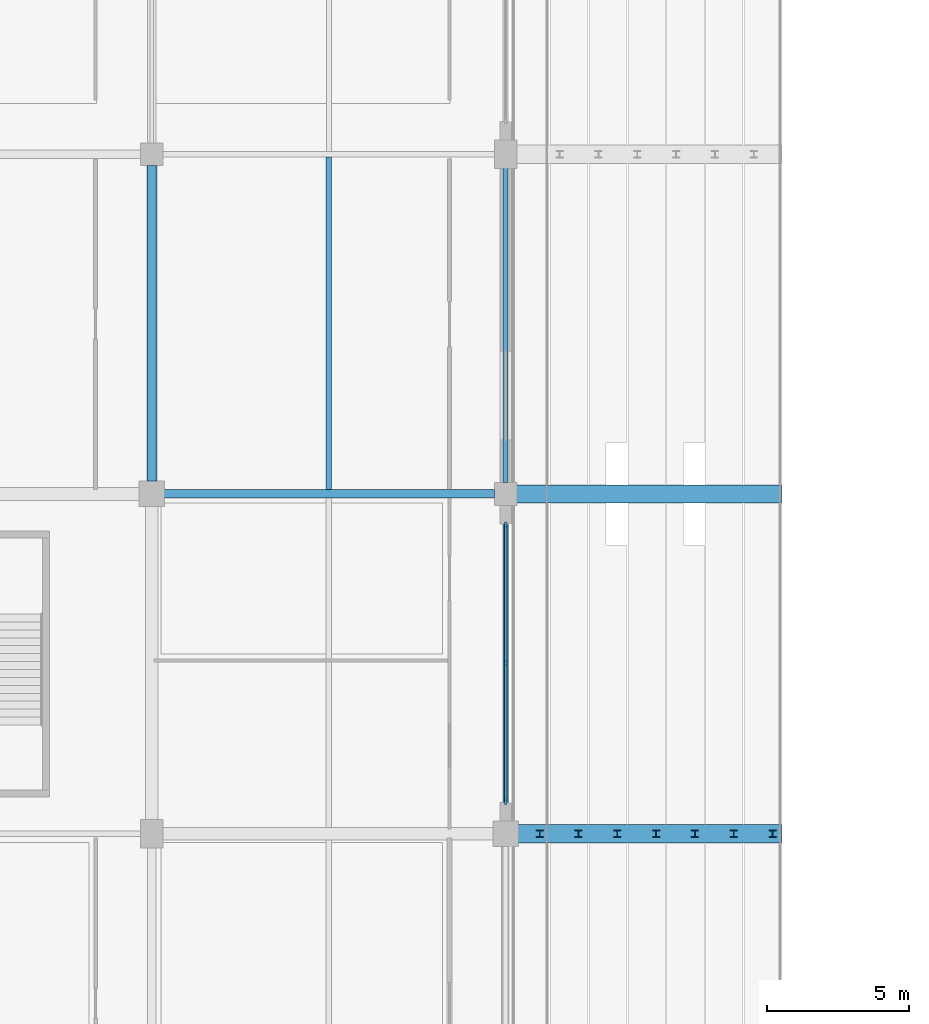
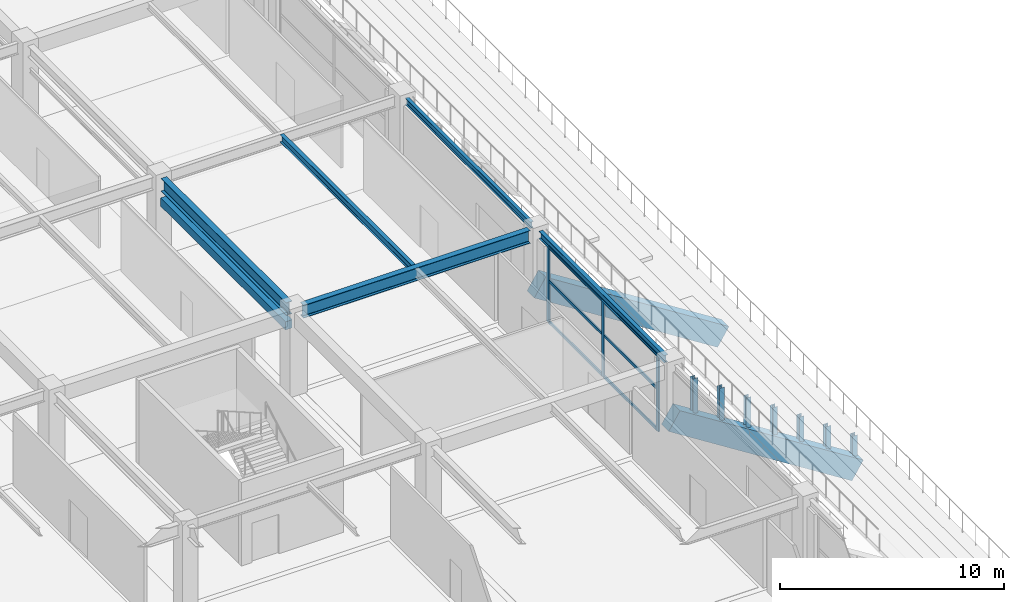
# One storey, part 20 of 134: 16 members, 8 beams, 1 element without a shape of its own.
"""IFC4 building model written with IfcOpenShell, lengths in metres."""

from ifc_helpers import new_model, si_unit, direction, frame, origin, origin_2d, place, context, subcontext, project, spatial, rectangle, i_section, extrude, material, layer, layer_set, material_profile, profile_set, type_object, element, aggregate, save


model = new_model("IFC4")

# Units and contexts
model_context = context("Model", 3, precision=1e-05, world=origin(), true_north=direction((0.0, 1.0)))
body_context = subcontext(model_context, "Body", "Model", "MODEL_VIEW")
ifc_project = project(units=[si_unit("LENGTHUNIT", "METRE"), si_unit("AREAUNIT", "SQUARE_METRE"), si_unit("VOLUMEUNIT", "CUBIC_METRE"), si_unit("PLANEANGLEUNIT", "RADIAN"), si_unit("MASSUNIT", "GRAM", prefix="KILO")], contexts=[model_context])

# Site, building, storey
site_placement = place(None, origin())
site = spatial("IfcSite", under=ifc_project, at=site_placement, CompositionType="ELEMENT")
building_placement = place(site_placement, origin())
building = spatial("IfcBuilding", under=site, at=building_placement, Name="Kazenohara Klinker Stadium", CompositionType="ELEMENT")
storey_placement = place(building_placement, frame((0.0, 0.0, 5.39990234375)))
storey = spatial("IfcBuildingStorey", under=building, at=storey_placement, Name="L01", CompositionType="ELEMENT", Elevation=5.39990234375)

# Beams
ifc_material_1 = material(Name="Steel S355", Category="steel")
ifc_material_profile_1 = material_profile(ifc_material_1, i_section(OverallWidth=0.199951171875, OverallDepth=0.39990234375, WebThickness=0.008056640625, FlangeThickness=0.012939453125, FilletRadius=0.012939453125, at=origin_2d()), Name="H-400x200x8x13")
ifc_profile_set_1 = profile_set([ifc_material_profile_1], Name="Steel S355")
beam_type_1 = type_object("IfcBeamType", Name="BM-JST03", PredefinedType="JOIST", material=ifc_profile_set_1)
beam_1_placement = place(storey_placement, frame((42.75, 84.14990234375, 4.35009765625), z_axis=(0.0, 1.0, 0.0), x_axis=(-1.0, 0.0, 0.0)))
element("IfcBeam", 1, at=beam_1_placement, inside=storey, type_object=beam_type_1, Name="Secondary floor joist SJ03 L01 4/H", PredefinedType="JOIST", context=body_context, shape_type="SweptSolid", body=[
    extrude(i_section(OverallWidth=0.199951171875, OverallDepth=0.39990234375, WebThickness=0.008056640625, FlangeThickness=0.012939453125, FilletRadius=0.012939453125, at=origin_2d()), origin(), (0.0, 0.0, 1.0), 11.75),
])
ifc_material_2 = material(Name="Concrete C40/50", Category="concrete")
ifc_material_profile_2 = material_profile(ifc_material_2, rectangle(XDim=0.35009765625, YDim=0.449951171875, at=origin_2d()), Name="RC-LINTEL-350x450")
ifc_profile_set_2 = profile_set([ifc_material_profile_2], Name="Concrete C40/50")
beam_type_2 = type_object("IfcBeamType", Name="BM-LIN01", PredefinedType="LINTEL", material=ifc_profile_set_2)
beam_2_placement = place(storey_placement, frame((36.5, 84.449951171875, 3.275146484375), z_axis=(0.0, 1.0, 0.0), x_axis=(-1.0, 0.0, 0.0)))
element("IfcBeam", 2, at=beam_2_placement, inside=storey, type_object=beam_type_2, Name="Concourse portal lintel LN01 L01-04", PredefinedType="LINTEL", context=body_context, shape_type="SweptSolid", body=[
    extrude(rectangle(XDim=0.35009765625, YDim=0.449951171875, at=origin_2d()), origin(), (0.0, 0.0, 1.0), 11.150146484375),
])
ifc_material_profile_3 = material_profile(ifc_material_1, i_section(OverallWidth=0.199951171875, OverallDepth=0.39990234375, WebThickness=0.008056640625, FlangeThickness=0.012939453125, FilletRadius=0.012939453125, at=origin_2d()), Name="H-400x200x8x13")
ifc_profile_set_3 = profile_set([ifc_material_profile_3], Name="Steel S355")
beam_type_3 = type_object("IfcBeamType", Name="BM-SPD01", PredefinedType="SPANDREL", material=ifc_profile_set_3)
beam_3_placement = place(storey_placement, frame((49.0, 72.419921875, 4.35009765625), z_axis=(0.0, 1.0, 0.0), x_axis=(-1.0, 0.0, 0.0)))
element("IfcBeam", 3, at=beam_3_placement, inside=storey, type_object=beam_type_3, Name="Primary girder SP01 L01 5/G-H", PredefinedType="SPANDREL", context=body_context, shape_type="SweptSolid", body=[
    extrude(i_section(OverallWidth=0.199951171875, OverallDepth=0.39990234375, WebThickness=0.008056640625, FlangeThickness=0.012939453125, FilletRadius=0.012939453125, at=origin_2d()), origin(), (0.0, 0.0, 1.0), 11.18017578125),
])
ifc_material_profile_4 = material_profile(ifc_material_1, i_section(OverallWidth=0.175048828125, OverallDepth=0.35009765625, WebThickness=0.007080078125, FlangeThickness=0.010986328125, FilletRadius=0.012939453125, at=origin_2d()), Name="H-350x175x7x11")
ifc_profile_set_4 = profile_set([ifc_material_profile_4], Name="Steel S355")
beam_type_4 = type_object("IfcBeamType", Name="BM-SPD02", PredefinedType="SPANDREL", material=ifc_profile_set_4)
beam_4_placement = place(storey_placement, frame((49.0, 84.39990234375, 4.375), z_axis=(0.0, 1.0, 0.0), x_axis=(-1.0, 0.0, 0.0)))
element("IfcBeam", 4, at=beam_4_placement, inside=storey, type_object=beam_type_4, Name="Primary girder SP02 L01 5/H-J", PredefinedType="SPANDREL", context=body_context, shape_type="SweptSolid", body=[
    extrude(i_section(OverallWidth=0.175048828125, OverallDepth=0.35009765625, WebThickness=0.007080078125, FlangeThickness=0.010986328125, FilletRadius=0.012939453125, at=origin_2d()), origin(), (0.0, 0.0, 1.0), 11.18017578125),
])
ifc_material_profile_5 = material_profile(ifc_material_1, i_section(OverallWidth=0.300048828125, OverallDepth=0.699951171875, WebThickness=0.012939453125, FlangeThickness=0.02392578125, FilletRadius=0.02197265625, at=origin_2d()), Name="H-700x300x13x24")
ifc_profile_set_5 = profile_set([ifc_material_profile_5], Name="Steel S355")
beam_type_5 = type_object("IfcBeamType", Name="BM-ST03", PredefinedType="BEAM", material=ifc_profile_set_5)
beam_5_placement = place(storey_placement, frame((36.919921875, 84.0, 4.2001953125), z_axis=(1.0, 0.0, 0.0), x_axis=(0.0, 1.0, 0.0)))
element("IfcBeam", 5, at=beam_5_placement, inside=storey, type_object=beam_type_5, Name="Primary girder SB03 L01 4-5/H", PredefinedType="BEAM", context=body_context, shape_type="SweptSolid", body=[
    extrude(i_section(OverallWidth=0.300048828125, OverallDepth=0.699951171875, WebThickness=0.012939453125, FlangeThickness=0.02392578125, FilletRadius=0.02197265625, at=origin_2d()), origin(), (0.0, 0.0, 1.0), 11.68017578125),
])
beam_6_placement = place(storey_placement, frame((36.5, 84.419921875, 4.2001953125), z_axis=(0.0, 1.0, 0.0), x_axis=(-1.0, 0.0, 0.0)))
element("IfcBeam", 6, at=beam_6_placement, inside=storey, type_object=beam_type_5, Name="Primary girder SB03 L01 4/H-J", PredefinedType="BEAM", context=body_context, shape_type="SweptSolid", body=[
    extrude(i_section(OverallWidth=0.300048828125, OverallDepth=0.699951171875, WebThickness=0.012939453125, FlangeThickness=0.02392578125, FilletRadius=0.02197265625, at=origin_2d()), origin(), (0.0, 0.0, 1.0), 11.18017578125),
])

# Curtain wall, members
ifc_material_3 = material(Name="Anodised aluminium and triple glazing", Category="aluminium")
ifc_layer = layer(ifc_material_3, 0.18994140625)
ifc_layer_set = layer_set([ifc_layer], Name="Anodised aluminium and triple glazing")
curtain_wall_type = type_object("IfcCurtainWallType", Name="CW-SYS-05", PredefinedType="USERDEFINED", material=ifc_layer_set)
curtain_wall_placement = place(storey_placement, origin())
curtain_wall = element("IfcCurtainWall", 7, at=curtain_wall_placement, inside=storey, type_object=curtain_wall_type, Name="Unitised facade curtain wall CW05 L01 Y4-6", ObjectType="UNITISED CURTAIN WALL", PredefinedType="USERDEFINED")
ifc_material_4 = material(Name="Anodised aluminium 6063-T6", Category="aluminium")
ifc_material_profile_6 = material_profile(ifc_material_4, rectangle(XDim=0.074951171875, YDim=0.219970703125, at=origin_2d()), Name="ALU-MUL-75x220")
ifc_profile_set_6 = profile_set([ifc_material_profile_6], Name="Anodised aluminium 6063-T6")
member_type_1 = type_object("IfcMemberType", Name="CW-MUL-220", PredefinedType="MULLION", material=ifc_profile_set_6)
member_1_placement = place(storey_placement, frame((49.0, 73.1416015625, 0.0), z_axis=(0.0, 0.0, 1.0), x_axis=(-1.0, 0.0, 0.0)))
member_1 = element("IfcMember", 8, at=member_1_placement, type_object=member_type_1, Name="CW05 mullion 1", PredefinedType="MULLION", context=body_context, shape_type="SweptSolid", body=[
    extrude(rectangle(XDim=0.074951171875, YDim=0.219970703125, at=origin_2d()), origin(), (0.0, 0.0, 1.0), 4.150146484375),
])
member_2_placement = place(storey_placement, frame((49.0, 78.02490234375, 0.0), z_axis=(0.0, 0.0, 1.0), x_axis=(-1.0, 0.0, 0.0)))
member_2 = element("IfcMember", 9, at=member_2_placement, type_object=member_type_1, Name="CW05 mullion 2", PredefinedType="MULLION", context=body_context, shape_type="SweptSolid", body=[
    extrude(rectangle(XDim=0.074951171875, YDim=0.219970703125, at=origin_2d()), origin(), (0.0, 0.0, 1.0), 4.150146484375),
])
member_3_placement = place(storey_placement, frame((49.0, 82.908447265625, 0.0), z_axis=(0.0, 0.0, 1.0), x_axis=(-1.0, 0.0, 0.0)))
member_3 = element("IfcMember", 10, at=member_3_placement, type_object=member_type_1, Name="CW05 mullion 3", PredefinedType="MULLION", context=body_context, shape_type="SweptSolid", body=[
    extrude(rectangle(XDim=0.074951171875, YDim=0.219970703125, at=origin_2d()), origin(), (0.0, 0.0, 1.0), 4.150146484375),
])
ifc_material_profile_7 = material_profile(ifc_material_4, rectangle(XDim=0.074951171875, YDim=0.159912109375, at=origin_2d()), Name="ALU-TRN-75x160")
ifc_profile_set_7 = profile_set([ifc_material_profile_7], Name="Anodised aluminium 6063-T6")
member_type_2 = type_object("IfcMemberType", Name="CW-TRN-160", PredefinedType="USERDEFINED", material=ifc_profile_set_7)
member_4_placement = place(storey_placement, frame((49.0, 73.178955078125, 0.03759765625), z_axis=(0.0, 1.0, 0.0), x_axis=(-1.0, 0.0, 0.0)))
member_4 = element("IfcMember", 11, at=member_4_placement, type_object=member_type_2, Name="CW05 transom 1.1", ObjectType="TRANSOM", PredefinedType="USERDEFINED", context=body_context, shape_type="SweptSolid", body=[
    extrude(rectangle(XDim=0.074951171875, YDim=0.159912109375, at=origin_2d()), origin(), (0.0, 0.0, 1.0), 4.80859375),
])
member_5_placement = place(storey_placement, frame((49.0, 73.178955078125, 2.28271484375), z_axis=(0.0, 1.0, 0.0), x_axis=(-1.0, 0.0, 0.0)))
member_5 = element("IfcMember", 12, at=member_5_placement, type_object=member_type_2, Name="CW05 transom 1.2", ObjectType="TRANSOM", PredefinedType="USERDEFINED", context=body_context, shape_type="SweptSolid", body=[
    extrude(rectangle(XDim=0.074951171875, YDim=0.159912109375, at=origin_2d()), origin(), (0.0, 0.0, 1.0), 4.80859375),
])
member_6_placement = place(storey_placement, frame((49.0, 73.178955078125, 4.112548828125), z_axis=(0.0, 1.0, 0.0), x_axis=(-1.0, 0.0, 0.0)))
member_6 = element("IfcMember", 13, at=member_6_placement, type_object=member_type_2, Name="CW05 transom 1.3", ObjectType="TRANSOM", PredefinedType="USERDEFINED", context=body_context, shape_type="SweptSolid", body=[
    extrude(rectangle(XDim=0.074951171875, YDim=0.159912109375, at=origin_2d()), origin(), (0.0, 0.0, 1.0), 4.80859375),
])
member_7_placement = place(storey_placement, frame((49.0, 78.0625, 0.03759765625), z_axis=(0.0, 1.0, 0.0), x_axis=(-1.0, 0.0, 0.0)))
member_7 = element("IfcMember", 14, at=member_7_placement, type_object=member_type_2, Name="CW05 transom 2.1", ObjectType="TRANSOM", PredefinedType="USERDEFINED", context=body_context, shape_type="SweptSolid", body=[
    extrude(rectangle(XDim=0.074951171875, YDim=0.159912109375, at=origin_2d()), origin(), (0.0, 0.0, 1.0), 4.80859375),
])
member_8_placement = place(storey_placement, frame((49.0, 78.0625, 2.28271484375), z_axis=(0.0, 1.0, 0.0), x_axis=(-1.0, 0.0, 0.0)))
member_8 = element("IfcMember", 15, at=member_8_placement, type_object=member_type_2, Name="CW05 transom 2.2", ObjectType="TRANSOM", PredefinedType="USERDEFINED", context=body_context, shape_type="SweptSolid", body=[
    extrude(rectangle(XDim=0.074951171875, YDim=0.159912109375, at=origin_2d()), origin(), (0.0, 0.0, 1.0), 4.80859375),
])
member_9_placement = place(storey_placement, frame((49.0, 78.0625, 4.112548828125), z_axis=(0.0, 1.0, 0.0), x_axis=(-1.0, 0.0, 0.0)))
member_9 = element("IfcMember", 16, at=member_9_placement, type_object=member_type_2, Name="CW05 transom 2.3", ObjectType="TRANSOM", PredefinedType="USERDEFINED", context=body_context, shape_type="SweptSolid", body=[
    extrude(rectangle(XDim=0.074951171875, YDim=0.159912109375, at=origin_2d()), origin(), (0.0, 0.0, 1.0), 4.80859375),
])
aggregate(curtain_wall, [member_1, member_2, member_3, member_4, member_5, member_6, member_7, member_8, member_9])

# Members
ifc_material_profile_8 = material_profile(ifc_material_1, i_section(OverallWidth=0.25, OverallDepth=0.25, WebThickness=0.009033203125, FlangeThickness=0.013916015625, FilletRadius=0.012939453125, at=origin_2d()), Name="H-250x250x9x14")
ifc_profile_set_8 = profile_set([ifc_material_profile_8], Name="Steel S355")
member_type_3 = type_object("IfcMemberType", Name="MEM-STR02", PredefinedType="STRUT", material=ifc_profile_set_8)
member_10_placement = place(storey_placement, frame((50.198486328125, 72.0, 1.2783203125), z_axis=(0.0, 0.0, 1.0), x_axis=(1.0, 0.0, 0.0)))
element("IfcMember", 17, at=member_10_placement, inside=storey, type_object=member_type_3, Name="Precast tier riser stool LOWER-W-01-06", PredefinedType="STRUT", context=body_context, shape_type="SweptSolid", body=[
    extrude(i_section(OverallWidth=0.25, OverallDepth=0.25, WebThickness=0.009033203125, FlangeThickness=0.013916015625, FilletRadius=0.012939453125, at=origin_2d()), origin(), (0.0, 0.0, 1.0), 1.911865234375),
])
member_11_placement = place(storey_placement, frame((51.570068359375, 72.0, 0.407470703125), z_axis=(0.0, 0.0, 1.0), x_axis=(1.0, 0.0, 0.0)))
element("IfcMember", 18, at=member_11_placement, inside=storey, type_object=member_type_3, Name="Precast tier riser stool LOWER-W-02-06", PredefinedType="STRUT", context=body_context, shape_type="SweptSolid", body=[
    extrude(i_section(OverallWidth=0.25, OverallDepth=0.25, WebThickness=0.009033203125, FlangeThickness=0.013916015625, FilletRadius=0.012939453125, at=origin_2d()), origin(), (0.0, 0.0, 1.0), 1.78271484375),
])
member_12_placement = place(storey_placement, frame((52.94140625, 72.0, -0.463134765625), z_axis=(0.0, 0.0, 1.0), x_axis=(1.0, 0.0, 0.0)))
element("IfcMember", 19, at=member_12_placement, inside=storey, type_object=member_type_3, Name="Precast tier riser stool LOWER-W-03-06", PredefinedType="STRUT", context=body_context, shape_type="SweptSolid", body=[
    extrude(i_section(OverallWidth=0.25, OverallDepth=0.25, WebThickness=0.009033203125, FlangeThickness=0.013916015625, FilletRadius=0.012939453125, at=origin_2d()), origin(), (0.0, 0.0, 1.0), 1.6533203125),
])
member_13_placement = place(storey_placement, frame((54.31298828125, 72.0, -1.333984375), z_axis=(0.0, 0.0, 1.0), x_axis=(1.0, 0.0, 0.0)))
element("IfcMember", 20, at=member_13_placement, inside=storey, type_object=member_type_3, Name="Precast tier riser stool LOWER-W-04-06", PredefinedType="STRUT", context=body_context, shape_type="SweptSolid", body=[
    extrude(i_section(OverallWidth=0.25, OverallDepth=0.25, WebThickness=0.009033203125, FlangeThickness=0.013916015625, FilletRadius=0.012939453125, at=origin_2d()), origin(), (0.0, 0.0, 1.0), 1.524169921875),
])
member_14_placement = place(storey_placement, frame((55.684326171875, 72.0, -2.20458984375), z_axis=(0.0, 0.0, 1.0), x_axis=(1.0, 0.0, 0.0)))
element("IfcMember", 21, at=member_14_placement, inside=storey, type_object=member_type_3, Name="Precast tier riser stool LOWER-W-05-06", PredefinedType="STRUT", context=body_context, shape_type="SweptSolid", body=[
    extrude(i_section(OverallWidth=0.25, OverallDepth=0.25, WebThickness=0.009033203125, FlangeThickness=0.013916015625, FilletRadius=0.012939453125, at=origin_2d()), origin(), (0.0, 0.0, 1.0), 1.394775390625),
])
member_15_placement = place(storey_placement, frame((57.0556640625, 72.0, -3.075439453125), z_axis=(0.0, 0.0, 1.0), x_axis=(1.0, 0.0, 0.0)))
element("IfcMember", 22, at=member_15_placement, inside=storey, type_object=member_type_3, Name="Precast tier riser stool LOWER-W-06-06", PredefinedType="STRUT", context=body_context, shape_type="SweptSolid", body=[
    extrude(i_section(OverallWidth=0.25, OverallDepth=0.25, WebThickness=0.009033203125, FlangeThickness=0.013916015625, FilletRadius=0.012939453125, at=origin_2d()), origin(), (0.0, 0.0, 1.0), 1.265625),
])
member_16_placement = place(storey_placement, frame((58.427001953125, 72.0, -3.9462890625), z_axis=(0.0, 0.0, 1.0), x_axis=(1.0, 0.0, 0.0)))
element("IfcMember", 23, at=member_16_placement, inside=storey, type_object=member_type_3, Name="Precast tier riser stool LOWER-W-07-06", PredefinedType="STRUT", context=body_context, shape_type="SweptSolid", body=[
    extrude(i_section(OverallWidth=0.25, OverallDepth=0.25, WebThickness=0.009033203125, FlangeThickness=0.013916015625, FilletRadius=0.012939453125, at=origin_2d()), origin(), (0.0, 0.0, 1.0), 1.136474609375),
])

# Beams
ifc_material_5 = material(Name="Precast concrete C50/60", Category="concrete")
ifc_material_profile_9 = material_profile(ifc_material_5, rectangle(XDim=0.64990234375, YDim=1.10009765625, at=origin_2d()), Name="PC-RAKER-650x1100")
ifc_profile_set_9 = profile_set([ifc_material_profile_9], Name="Precast concrete C50/60")
beam_type_6 = type_object("IfcBeamType", Name="RAKER-RK01", PredefinedType="USERDEFINED", material=ifc_profile_set_9)
for number, where, z_axis, x_axis, name in (
    (24, (49.0, 72.0, 1.401611328125), (0.844211562005, 0.0, -0.536010110518), (0.0, 1.0, 0.0), "Precast bowl raker girder RK01 LOWER West G"),
    (25, (49.0, 84.0, 1.401611328125), (0.844211562005, 0.0, -0.536010110518), (0.0, 1.0, 0.0), "Precast bowl raker girder RK01 LOWER West H"),
):
    element("IfcBeam", number, at=place(storey_placement, frame(where, z_axis=z_axis, x_axis=x_axis)), inside=storey, type_object=beam_type_6, Name=name, ObjectType="RAKER", PredefinedType="USERDEFINED", context=body_context, shape_type="SweptSolid", body=[
        extrude(rectangle(XDim=0.64990234375, YDim=1.10009765625, at=origin_2d()), origin(), (0.0, 0.0, 1.0), 11.19384765625),
    ])

save(model, "model.ifc")
